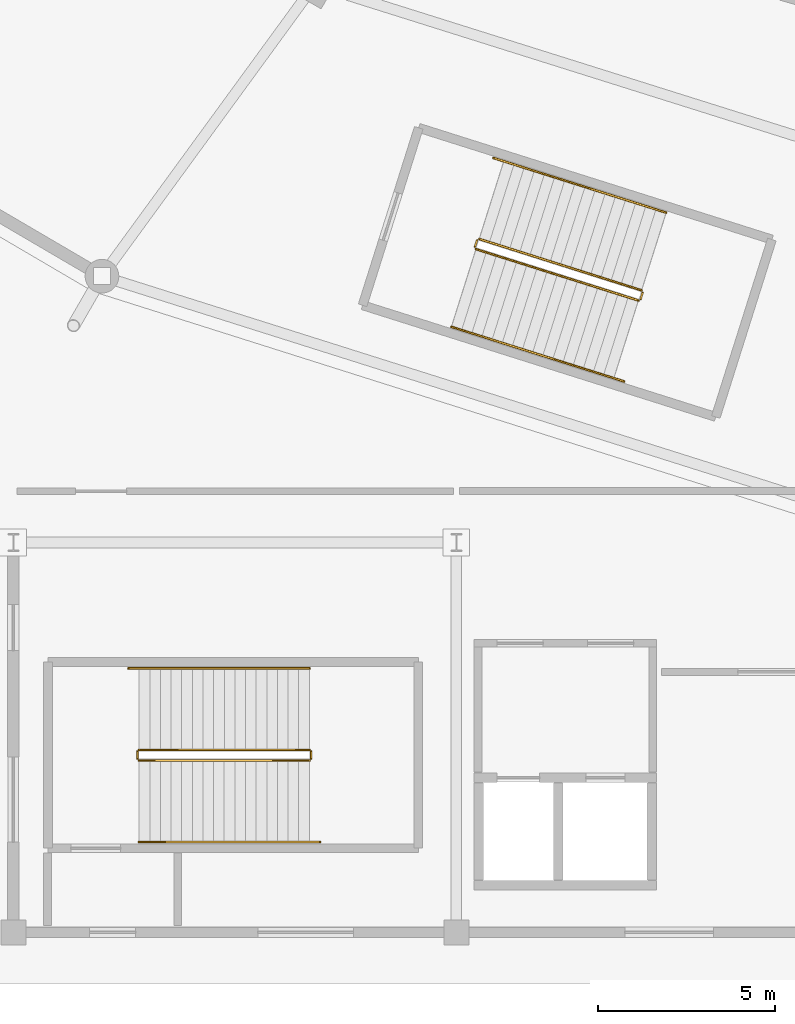
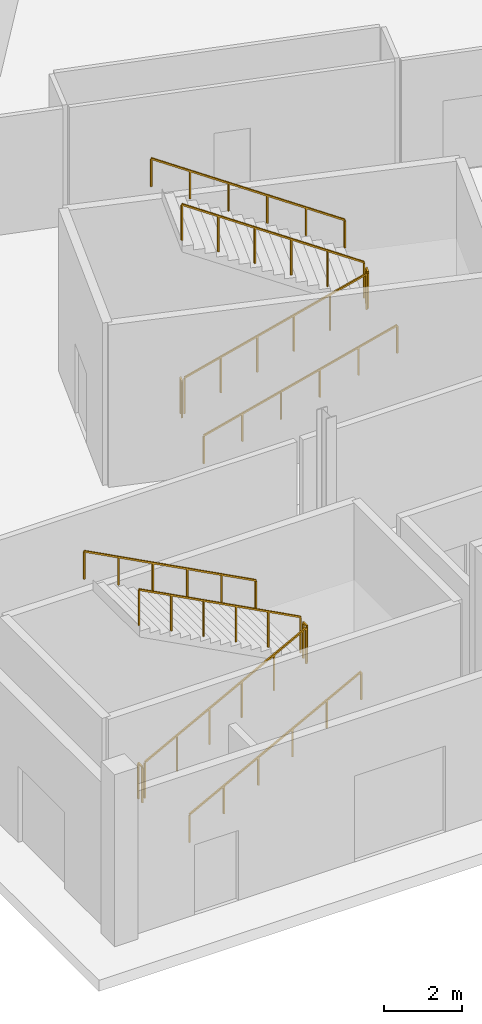
# One storey, part 61 of 82: 12 railings.
"""IFC4 building model written with IfcOpenShell, lengths in metres."""

from ifc_helpers import new_model, si_unit, direction, frame, origin, origin_2d, place, context, subcontext, project, spatial, rectangle, extrude, material, type_object, element, save


model = new_model("IFC4")

# Units and contexts
model_context = context("Model", 3, precision=1e-05, world=origin(), true_north=direction((0.0, 1.0)))
body_context = subcontext(model_context, "Body", "Model", "MODEL_VIEW")
ifc_project = project(units=[si_unit("LENGTHUNIT", "METRE"), si_unit("AREAUNIT", "SQUARE_METRE"), si_unit("VOLUMEUNIT", "CUBIC_METRE"), si_unit("PLANEANGLEUNIT", "RADIAN"), si_unit("MASSUNIT", "GRAM", prefix="KILO")], contexts=[model_context])

# Site, building, storey
site_placement = place(None, origin())
site = spatial("IfcSite", under=ifc_project, at=site_placement, CompositionType="ELEMENT")
building_placement = place(site_placement, origin())
building = spatial("IfcBuilding", under=site, at=building_placement, Name="Zlatoyarsky Gate Stadium", CompositionType="ELEMENT")
storey_placement = place(building_placement, origin())
storey = spatial("IfcBuildingStorey", under=building, at=storey_placement, Name="L00", CompositionType="ELEMENT", Elevation=0.0)

# Railings
ifc_material_1 = material(Name="Powder-coated steel stair guardrail", Category="steel")
railing_type_1 = type_object("IfcRailingType", Name="PAINTED STEEL STAIR WELL GUARDRAIL 1150", PredefinedType="GUARDRAIL", material=ifc_material_1)
railing_1_placement = place(storey_placement, frame((75.05517578125, 19.2763671875, 0.158935546875)))
element("IfcRailing", 1, at=railing_1_placement, inside=storey, type_object=railing_type_1, Name="ST-09 L00 stair guard 1", PredefinedType="GUARDRAIL", context=body_context, shape_type="SweptSolid", body=[
    extrude(rectangle(XDim=0.048095703125, YDim=0.048095703125, at=origin_2d()), frame((0.0, 0.0, 1.1259765625), z_axis=(0.842672050096, -0.266476043581, 0.467861447637), x_axis=(0.301511080938, 0.953462672616, 0.0)), (0.0, 0.0, 1.0), 5.43115234375),
    extrude(rectangle(XDim=0.0419921875, YDim=0.0419921875, at=origin_2d()), origin(), (0.0, 0.0, 1.0), 1.101806640625),
    extrude(rectangle(XDim=0.0419921875, YDim=0.0419921875, at=origin_2d()), frame((0.915283203125, -0.28955078125, 0.50830078125)), (0.0, 0.0, 1.0), 1.101806640625),
    extrude(rectangle(XDim=0.0419921875, YDim=0.0419921875, at=origin_2d()), frame((1.83056640625, -0.578857421875, 1.016357421875)), (0.0, 0.0, 1.0), 1.101806640625),
    extrude(rectangle(XDim=0.0419921875, YDim=0.0419921875, at=origin_2d()), frame((2.74609375, -0.868408203125, 1.524658203125)), (0.0, 0.0, 1.0), 1.101806640625),
    extrude(rectangle(XDim=0.0419921875, YDim=0.0419921875, at=origin_2d()), frame((3.661376953125, -1.15771484375, 2.03271484375)), (0.0, 0.0, 1.0), 1.101806640625),
    extrude(rectangle(XDim=0.0419921875, YDim=0.0419921875, at=origin_2d()), frame((4.57666015625, -1.447265625, 2.541015625)), (0.0, 0.0, 1.0), 1.101806640625),
])
railing_2_placement = place(storey_placement, frame((79.694580078125, 17.86181640625, 2.699951171875)))
element("IfcRailing", 2, at=railing_2_placement, inside=storey, type_object=railing_type_1, Name="ST-09 L00 stair guard 2", PredefinedType="GUARDRAIL", context=body_context, shape_type="SweptSolid", body=[
    extrude(rectangle(XDim=0.048095703125, YDim=0.048095703125, at=origin_2d()), frame((0.0, 0.0, 1.1259765625), z_axis=(0.301540327315, 0.953453423615, 0.0), x_axis=(-0.953453423615, 0.301540327315, 0.0)), (0.0, 0.0, 1.0), 0.199951171875),
    extrude(rectangle(XDim=0.0419921875, YDim=0.0419921875, at=origin_2d()), origin(), (0.0, 0.0, 1.0), 1.101806640625),
    extrude(rectangle(XDim=0.0419921875, YDim=0.0419921875, at=origin_2d()), frame((0.060302734375, 0.190673828125, 0.0)), (0.0, 0.0, 1.0), 1.101806640625),
])
railing_3_placement = place(storey_placement, frame((79.722412109375, 18.115234375, 2.85888671875)))
element("IfcRailing", 3, at=railing_3_placement, inside=storey, type_object=railing_type_1, Name="ST-09 L00 stair guard 3", PredefinedType="GUARDRAIL", context=body_context, shape_type="SweptSolid", body=[
    extrude(rectangle(XDim=0.048095703125, YDim=0.048095703125, at=origin_2d()), frame((0.0, 0.0, 1.1259765625), z_axis=(-0.842672050096, 0.266476043581, 0.467861447637), x_axis=(-0.301511080938, -0.953462672616, 0.0)), (0.0, 0.0, 1.0), 5.43115234375),
    extrude(rectangle(XDim=0.0419921875, YDim=0.0419921875, at=origin_2d()), origin(), (0.0, 0.0, 1.0), 1.101806640625),
    extrude(rectangle(XDim=0.0419921875, YDim=0.0419921875, at=origin_2d()), frame((-0.915283203125, 0.28955078125, 0.50830078125)), (0.0, 0.0, 1.0), 1.101806640625),
    extrude(rectangle(XDim=0.0419921875, YDim=0.0419921875, at=origin_2d()), frame((-1.83056640625, 0.578857421875, 1.016357421875)), (0.0, 0.0, 1.0), 1.101806640625),
    extrude(rectangle(XDim=0.0419921875, YDim=0.0419921875, at=origin_2d()), frame((-2.74609375, 0.868408203125, 1.524658203125)), (0.0, 0.0, 1.0), 1.101806640625),
    extrude(rectangle(XDim=0.0419921875, YDim=0.0419921875, at=origin_2d()), frame((-3.661376953125, 1.15771484375, 2.03271484375)), (0.0, 0.0, 1.0), 1.101806640625),
    extrude(rectangle(XDim=0.0419921875, YDim=0.0419921875, at=origin_2d()), frame((-4.57666015625, 1.447265625, 2.541015625)), (0.0, 0.0, 1.0), 1.101806640625),
])
railing_4_placement = place(storey_placement, frame((75.022705078125, 19.339111328125, 0.0)))
element("IfcRailing", 4, at=railing_4_placement, inside=storey, type_object=railing_type_1, Name="ST-09 L00 stair guard 4", PredefinedType="GUARDRAIL", context=body_context, shape_type="SweptSolid", body=[
    extrude(rectangle(XDim=0.048095703125, YDim=0.048095703125, at=origin_2d()), frame((0.0, 0.0, 1.1259765625), z_axis=(0.301540327315, 0.953453423615, 0.0), x_axis=(-0.953453423615, 0.301540327315, 0.0)), (0.0, 0.0, 1.0), 0.199951171875),
    extrude(rectangle(XDim=0.0419921875, YDim=0.0419921875, at=origin_2d()), origin(), (0.0, 0.0, 1.0), 1.101806640625),
    extrude(rectangle(XDim=0.0419921875, YDim=0.0419921875, at=origin_2d()), frame((0.060302734375, 0.190673828125, 0.0)), (0.0, 0.0, 1.0), 1.101806640625),
])
railing_5_placement = place(storey_placement, frame((65.550048828125, 4.85009765625, 0.158935546875)))
element("IfcRailing", 5, at=railing_5_placement, inside=storey, type_object=railing_type_1, Name="ST-29 L00 stair guard 1", PredefinedType="GUARDRAIL", context=body_context, shape_type="SweptSolid", body=[
    extrude(rectangle(XDim=0.048095703125, YDim=0.048095703125, at=origin_2d()), frame((0.0, 0.0, 1.1259765625), z_axis=(0.883802130504, 0.0, 0.467860870469), x_axis=(0.0, 1.0, 0.0)), (0.0, 0.0, 1.0), 5.43115234375),
    extrude(rectangle(XDim=0.0419921875, YDim=0.0419921875, at=origin_2d()), origin(), (0.0, 0.0, 1.0), 1.101806640625),
    extrude(rectangle(XDim=0.0419921875, YDim=0.0419921875, at=origin_2d()), frame((0.9599609375, 0.0, 0.50830078125)), (0.0, 0.0, 1.0), 1.101806640625),
    extrude(rectangle(XDim=0.0419921875, YDim=0.0419921875, at=origin_2d()), frame((1.919921875, 0.0, 1.016357421875)), (0.0, 0.0, 1.0), 1.101806640625),
    extrude(rectangle(XDim=0.0419921875, YDim=0.0419921875, at=origin_2d()), frame((2.880126953125, 0.0, 1.524658203125)), (0.0, 0.0, 1.0), 1.101806640625),
    extrude(rectangle(XDim=0.0419921875, YDim=0.0419921875, at=origin_2d()), frame((3.840087890625, 0.0, 2.03271484375)), (0.0, 0.0, 1.0), 1.101806640625),
    extrude(rectangle(XDim=0.0419921875, YDim=0.0419921875, at=origin_2d()), frame((4.800048828125, 0.0, 2.541015625)), (0.0, 0.0, 1.0), 1.101806640625),
])
railing_6_placement = place(storey_placement, frame((70.39990234375, 4.89990234375, 2.699951171875)))
element("IfcRailing", 6, at=railing_6_placement, inside=storey, type_object=railing_type_1, Name="ST-29 L00 stair guard 2", PredefinedType="GUARDRAIL", context=body_context, shape_type="SweptSolid", body=[
    extrude(rectangle(XDim=0.048095703125, YDim=0.048095703125, at=origin_2d()), frame((0.0, 0.0, 1.1259765625), z_axis=(0.0, 1.0, 0.0), x_axis=(-1.0, 0.0, 0.0)), (0.0, 0.0, 1.0), 0.2001953125),
    extrude(rectangle(XDim=0.0419921875, YDim=0.0419921875, at=origin_2d()), origin(), (0.0, 0.0, 1.0), 1.101806640625),
    extrude(rectangle(XDim=0.0419921875, YDim=0.0419921875, at=origin_2d()), frame((0.0, 0.2001953125, 0.0)), (0.0, 0.0, 1.0), 1.101806640625),
])
railing_7_placement = place(storey_placement, frame((70.35009765625, 5.14990234375, 2.85888671875)))
element("IfcRailing", 7, at=railing_7_placement, inside=storey, type_object=railing_type_1, Name="ST-29 L00 stair guard 3", PredefinedType="GUARDRAIL", context=body_context, shape_type="SweptSolid", body=[
    extrude(rectangle(XDim=0.048095703125, YDim=0.048095703125, at=origin_2d()), frame((0.0, 0.0, 1.1259765625), z_axis=(-0.883802130504, 0.0, 0.467860870469), x_axis=(0.0, -1.0, 0.0)), (0.0, 0.0, 1.0), 5.43115234375),
    extrude(rectangle(XDim=0.0419921875, YDim=0.0419921875, at=origin_2d()), origin(), (0.0, 0.0, 1.0), 1.101806640625),
    extrude(rectangle(XDim=0.0419921875, YDim=0.0419921875, at=origin_2d()), frame((-0.9599609375, 0.0, 0.50830078125)), (0.0, 0.0, 1.0), 1.101806640625),
    extrude(rectangle(XDim=0.0419921875, YDim=0.0419921875, at=origin_2d()), frame((-1.919921875, 0.0, 1.016357421875)), (0.0, 0.0, 1.0), 1.101806640625),
    extrude(rectangle(XDim=0.0419921875, YDim=0.0419921875, at=origin_2d()), frame((-2.880126953125, 0.0, 1.524658203125)), (0.0, 0.0, 1.0), 1.101806640625),
    extrude(rectangle(XDim=0.0419921875, YDim=0.0419921875, at=origin_2d()), frame((-3.840087890625, 0.0, 2.03271484375)), (0.0, 0.0, 1.0), 1.101806640625),
    extrude(rectangle(XDim=0.0419921875, YDim=0.0419921875, at=origin_2d()), frame((-4.800048828125, 0.0, 2.541015625)), (0.0, 0.0, 1.0), 1.101806640625),
])
railing_8_placement = place(storey_placement, frame((65.5, 4.89990234375, 0.0)))
element("IfcRailing", 8, at=railing_8_placement, inside=storey, type_object=railing_type_1, Name="ST-29 L00 stair guard 4", PredefinedType="GUARDRAIL", context=body_context, shape_type="SweptSolid", body=[
    extrude(rectangle(XDim=0.048095703125, YDim=0.048095703125, at=origin_2d()), frame((0.0, 0.0, 1.1259765625), z_axis=(0.0, 1.0, 0.0), x_axis=(-1.0, 0.0, 0.0)), (0.0, 0.0, 1.0), 0.2001953125),
    extrude(rectangle(XDim=0.0419921875, YDim=0.0419921875, at=origin_2d()), origin(), (0.0, 0.0, 1.0), 1.101806640625),
    extrude(rectangle(XDim=0.0419921875, YDim=0.0419921875, at=origin_2d()), frame((0.0, 0.2001953125, 0.0)), (0.0, 0.0, 1.0), 1.101806640625),
])
ifc_material_2 = material(Name="Brushed stainless steel 316 handrail", Category="steel")
railing_type_2 = type_object("IfcRailingType", Name="STAINLESS STEEL TUBULAR HANDRAIL 900", PredefinedType="HANDRAIL", material=ifc_material_2)
railing_9_placement = place(storey_placement, frame((74.36181640625, 17.08349609375, 0.162841796875)))
element("IfcRailing", 9, at=railing_9_placement, inside=storey, type_object=railing_type_2, Name="ST-09 L00 stair handrail 1", PredefinedType="HANDRAIL", context=body_context, shape_type="SweptSolid", body=[
    extrude(rectangle(XDim=0.048095703125, YDim=0.048095703125, at=origin_2d()), frame((0.0, 0.0, 0.8759765625), z_axis=(0.842651293376, -0.266498995681, 0.46788575857), x_axis=(0.301541441746, 0.953453071163, 0.0)), (0.0, 0.0, 1.0), 5.7705078125),
    extrude(rectangle(XDim=0.0419921875, YDim=0.0419921875, at=origin_2d()), origin(), (0.0, 0.0, 1.0), 0.851806640625),
    extrude(rectangle(XDim=0.0419921875, YDim=0.0419921875, at=origin_2d()), frame((0.972412109375, -0.3076171875, 0.5400390625)), (0.0, 0.0, 1.0), 0.851806640625),
    extrude(rectangle(XDim=0.0419921875, YDim=0.0419921875, at=origin_2d()), frame((1.945068359375, -0.615234375, 1.080078125)), (0.0, 0.0, 1.0), 0.851806640625),
    extrude(rectangle(XDim=0.0419921875, YDim=0.0419921875, at=origin_2d()), frame((2.91748046875, -0.922607421875, 1.619873046875)), (0.0, 0.0, 1.0), 0.851806640625),
    extrude(rectangle(XDim=0.0419921875, YDim=0.0419921875, at=origin_2d()), frame((3.89013671875, -1.230224609375, 2.159912109375)), (0.0, 0.0, 1.0), 0.851806640625),
    extrude(rectangle(XDim=0.0419921875, YDim=0.0419921875, at=origin_2d()), frame((4.862548828125, -1.537841796875, 2.699951171875)), (0.0, 0.0, 1.0), 0.851806640625),
])
railing_10_placement = place(storey_placement, frame((80.415771484375, 20.30810546875, 2.86279296875)))
element("IfcRailing", 10, at=railing_10_placement, inside=storey, type_object=railing_type_2, Name="ST-09 L00 stair handrail 2", PredefinedType="HANDRAIL", context=body_context, shape_type="SweptSolid", body=[
    extrude(rectangle(XDim=0.048095703125, YDim=0.048095703125, at=origin_2d()), frame((0.0, 0.0, 0.8759765625), z_axis=(-0.842651293376, 0.266498995681, 0.46788575857), x_axis=(-0.301541441746, -0.953453071163, 0.0)), (0.0, 0.0, 1.0), 5.7705078125),
    extrude(rectangle(XDim=0.0419921875, YDim=0.0419921875, at=origin_2d()), origin(), (0.0, 0.0, 1.0), 0.851806640625),
    extrude(rectangle(XDim=0.0419921875, YDim=0.0419921875, at=origin_2d()), frame((-0.972412109375, 0.3076171875, 0.5400390625)), (0.0, 0.0, 1.0), 0.851806640625),
    extrude(rectangle(XDim=0.0419921875, YDim=0.0419921875, at=origin_2d()), frame((-1.945068359375, 0.615234375, 1.080078125)), (0.0, 0.0, 1.0), 0.851806640625),
    extrude(rectangle(XDim=0.0419921875, YDim=0.0419921875, at=origin_2d()), frame((-2.91748046875, 0.922607421875, 1.619873046875)), (0.0, 0.0, 1.0), 0.851806640625),
    extrude(rectangle(XDim=0.0419921875, YDim=0.0419921875, at=origin_2d()), frame((-3.89013671875, 1.230224609375, 2.159912109375)), (0.0, 0.0, 1.0), 0.851806640625),
    extrude(rectangle(XDim=0.0419921875, YDim=0.0419921875, at=origin_2d()), frame((-4.862548828125, 1.537841796875, 2.699951171875)), (0.0, 0.0, 1.0), 0.851806640625),
])
railing_11_placement = place(storey_placement, frame((65.550048828125, 2.550048828125, 0.162841796875)))
element("IfcRailing", 11, at=railing_11_placement, inside=storey, type_object=railing_type_2, Name="ST-29 L00 stair handrail 1", PredefinedType="HANDRAIL", context=body_context, shape_type="SweptSolid", body=[
    extrude(rectangle(XDim=0.048095703125, YDim=0.048095703125, at=origin_2d()), frame((0.0, 0.0, 0.8759765625), z_axis=(0.883785858079, 0.0, 0.467891608238), x_axis=(0.0, 1.0, 0.0)), (0.0, 0.0, 1.0), 5.7705078125),
    extrude(rectangle(XDim=0.0419921875, YDim=0.0419921875, at=origin_2d()), origin(), (0.0, 0.0, 1.0), 0.851806640625),
    extrude(rectangle(XDim=0.0419921875, YDim=0.0419921875, at=origin_2d()), frame((1.02001953125, 0.0, 0.5400390625)), (0.0, 0.0, 1.0), 0.851806640625),
    extrude(rectangle(XDim=0.0419921875, YDim=0.0419921875, at=origin_2d()), frame((2.0400390625, 0.0, 1.080078125)), (0.0, 0.0, 1.0), 0.851806640625),
    extrude(rectangle(XDim=0.0419921875, YDim=0.0419921875, at=origin_2d()), frame((3.059814453125, 0.0, 1.619873046875)), (0.0, 0.0, 1.0), 0.851806640625),
    extrude(rectangle(XDim=0.0419921875, YDim=0.0419921875, at=origin_2d()), frame((4.079833984375, 0.0, 2.159912109375)), (0.0, 0.0, 1.0), 0.851806640625),
    extrude(rectangle(XDim=0.0419921875, YDim=0.0419921875, at=origin_2d()), frame((5.099853515625, 0.0, 2.699951171875)), (0.0, 0.0, 1.0), 0.851806640625),
])
railing_12_placement = place(storey_placement, frame((70.35009765625, 7.449951171875, 2.86279296875)))
element("IfcRailing", 12, at=railing_12_placement, inside=storey, type_object=railing_type_2, Name="ST-29 L00 stair handrail 2", PredefinedType="HANDRAIL", context=body_context, shape_type="SweptSolid", body=[
    extrude(rectangle(XDim=0.048095703125, YDim=0.048095703125, at=origin_2d()), frame((0.0, 0.0, 0.8759765625), z_axis=(-0.883795119882, 0.0, 0.467874113489), x_axis=(0.0, -1.0, 0.0)), (0.0, 0.0, 1.0), 5.770751953125),
    extrude(rectangle(XDim=0.0419921875, YDim=0.0419921875, at=origin_2d()), origin(), (0.0, 0.0, 1.0), 0.851806640625),
    extrude(rectangle(XDim=0.0419921875, YDim=0.0419921875, at=origin_2d()), frame((-1.02001953125, 0.0, 0.5400390625)), (0.0, 0.0, 1.0), 0.851806640625),
    extrude(rectangle(XDim=0.0419921875, YDim=0.0419921875, at=origin_2d()), frame((-2.0400390625, 0.0, 1.080078125)), (0.0, 0.0, 1.0), 0.851806640625),
    extrude(rectangle(XDim=0.0419921875, YDim=0.0419921875, at=origin_2d()), frame((-3.06005859375, 0.0, 1.619873046875)), (0.0, 0.0, 1.0), 0.851806640625),
    extrude(rectangle(XDim=0.0419921875, YDim=0.0419921875, at=origin_2d()), frame((-4.080078125, 0.0, 2.159912109375)), (0.0, 0.0, 1.0), 0.851806640625),
    extrude(rectangle(XDim=0.0419921875, YDim=0.0419921875, at=origin_2d()), frame((-5.10009765625, 0.0, 2.699951171875)), (0.0, 0.0, 1.0), 0.851806640625),
])

save(model, "model.ifc")
